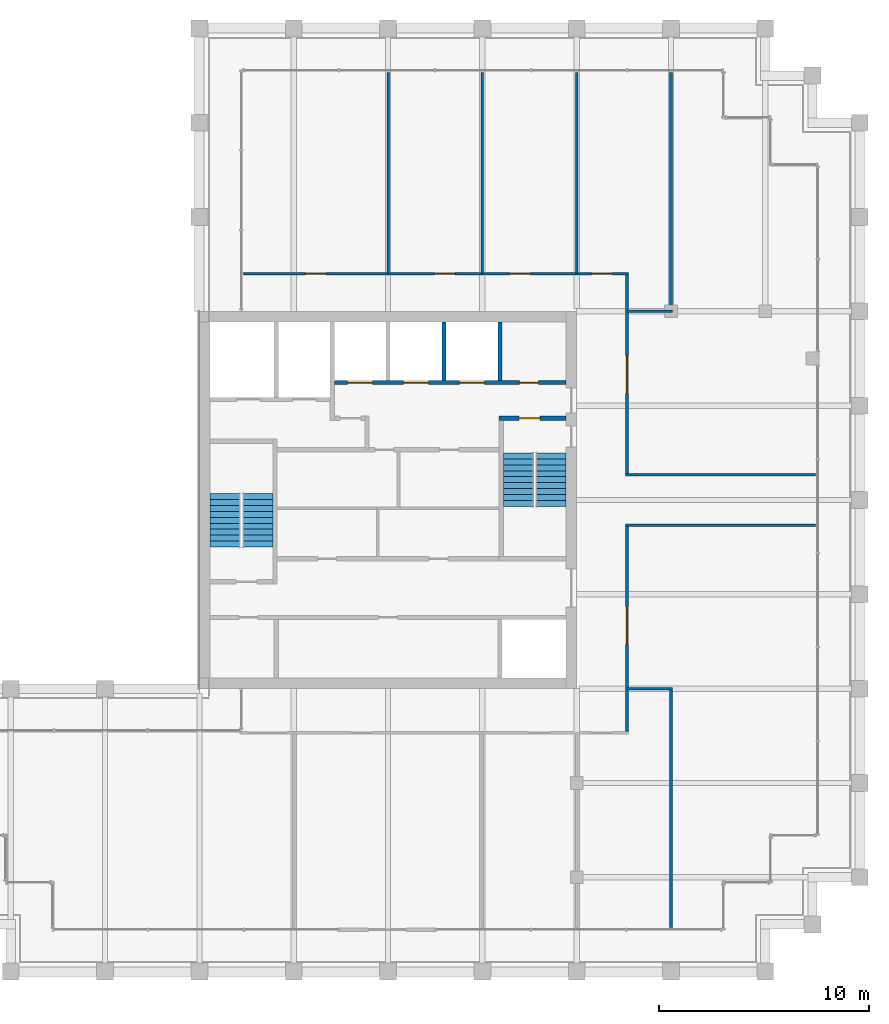
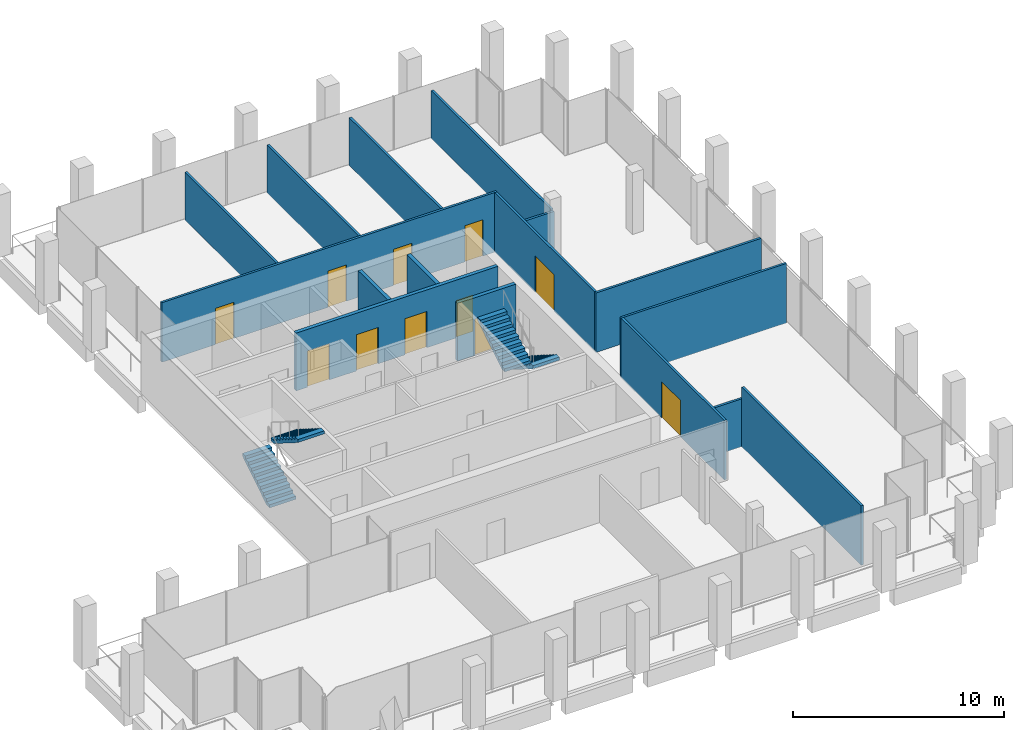
# One storey, part 29 of 30: 16 walls, 11 doors, 4 stair flights, 11 openings, 2 elements without a shape of their own.
"""IFC4 building model written with IfcOpenShell, lengths in metres."""

from ifc_helpers import new_model, si_unit, direction, frame, frame_2d, origin, place, context, subcontext, project, spatial, polyline, rectangle, outline, extrude, material, layer, layer_set, type_object, element, fill, aggregate, save


model = new_model("IFC4")

# Units and contexts
model_context = context("Model", 3, precision=1e-05, world=origin(), true_north=direction((0.0, 1.0)))
body_context = subcontext(model_context, "Body", "Model", "MODEL_VIEW")
ifc_project = project(units=[si_unit("LENGTHUNIT", "METRE"), si_unit("AREAUNIT", "SQUARE_METRE"), si_unit("VOLUMEUNIT", "CUBIC_METRE"), si_unit("PLANEANGLEUNIT", "RADIAN"), si_unit("MASSUNIT", "GRAM", prefix="KILO")], contexts=[model_context])

# Site, building, storey
site_placement = place(None, origin())
site = spatial("IfcSite", under=ifc_project, at=site_placement, CompositionType="ELEMENT")
building_placement = place(site_placement, origin())
building = spatial("IfcBuilding", under=site, at=building_placement, Name="Altepetl Exchange Towers", CompositionType="ELEMENT")
storey_placement = place(building_placement, frame((0.0, 0.0, 220.800048828125)))
storey = spatial("IfcBuildingStorey", under=building, at=storey_placement, Name="L56", CompositionType="ELEMENT", Elevation=220.800048828125)

# Walls
ifc_material_1 = material(Name="Timber panels on aluminium track", Category="wood")
ifc_layer_1 = layer(ifc_material_1, 0.125)
ifc_layer_set_1 = layer_set([ifc_layer_1], Name="Timber panels on aluminium track")
wall_type_1 = type_object("IfcWallType", Name="Operable acoustic partition 125", PredefinedType="MOVABLE", material=ifc_layer_set_1)
wall_1_placement = place(storey_placement, frame((58.5, 60.300048828125, 0.0), z_axis=(0.0, 0.0, 1.0), x_axis=(0.0, 1.0, 0.0)))
element("IfcWall", 1, at=wall_1_placement, inside=storey, type_object=wall_type_1, Name="wall:A:L56:P14", PredefinedType="MOVABLE", context=body_context, shape_type="SweptSolid", body=[
    extrude(rectangle(XDim=9.599853515625, YDim=0.125, at=frame_2d((4.7998046875, 0.0))), origin(), (0.0, 0.0, 1.0), 2.77197265625),
])
ifc_material_2 = material(Name="Gypsum board on steel studs", Category="steel")
ifc_layer_2 = layer(ifc_material_2, 0.125)
ifc_layer_set_2 = layer_set([ifc_layer_2], Name="Gypsum board on steel studs")
wall_type_2 = type_object("IfcWallType", Name="Partition 125 gypsum board on steel studs", PredefinedType="PARTITIONING", material=ifc_layer_set_2)
wall_2_placement = place(storey_placement, frame((60.89990234375, 40.5, 0.0)))
element("IfcWall", 2, at=wall_2_placement, inside=storey, type_object=wall_type_2, Name="wall:A:L56:P02", PredefinedType="PARTITIONING", context=body_context, shape_type="SweptSolid", body=[
    extrude(rectangle(XDim=2.16259765625, YDim=0.125, at=frame_2d((1.081298828125, 0.0))), origin(), (0.0, 0.0, 1.0), 2.77197265625),
])
for number, where, name in (
    (3, (60.83740234375, 48.300048828125, 0.0), "wall:A:L56:P03"),
    (4, (60.83740234375, 50.699951171875, 0.0), "wall:A:L56:P04"),
):
    element("IfcWall", number, at=place(storey_placement, frame(where)), inside=storey, type_object=wall_type_2, Name=name, PredefinedType="PARTITIONING", context=body_context, shape_type="SweptSolid", body=[
        extrude(rectangle(XDim=9.0625, YDim=0.125, at=frame_2d((4.53125, 0.0))), origin(), (0.0, 0.0, 1.0), 3.449951171875),
    ])
wall_3_placement = place(storey_placement, frame((60.89990234375, 58.5, 0.0)))
element("IfcWall", 5, at=wall_3_placement, inside=storey, type_object=wall_type_2, Name="wall:A:L56:P05", PredefinedType="PARTITIONING", context=body_context, shape_type="SweptSolid", body=[
    extrude(rectangle(XDim=2.16259765625, YDim=0.125, at=frame_2d((1.081298828125, 0.0))), origin(), (0.0, 0.0, 1.0), 2.676025390625),
])

# Wall, openings, doors
wall_4_placement = place(storey_placement, frame((42.60009765625, 60.300048828125, 0.0)))
wall_4 = element("IfcWall", 6, at=wall_4_placement, inside=storey, type_object=wall_type_2, Name="wall:A:L56:P06", PredefinedType="PARTITIONING", context=body_context, shape_type="SweptSolid", body=[
    extrude(rectangle(XDim=18.3623046875, YDim=0.125, at=frame_2d((9.18115234375, 0.0))), origin(), (0.0, 0.0, 1.0), 3.449951171875),
])
opening_1_placement = place(wall_4_placement, frame((16.60009765625, 0.0, 0.0)))
opening_1 = element("IfcOpeningElement", 7, at=opening_1_placement, cuts=wall_4, Name="Opening L56.A07", PredefinedType="OPENING", context=body_context, shape_type="SweptSolid", body=[
    extrude(rectangle(XDim=1.0, YDim=2.10009765625, at=frame_2d((0.5, 1.050048828125))), frame((0.0, 0.072509765625, 0.0), z_axis=(0.0, -1.0, 0.0), x_axis=(1.0, 0.0, 0.0)), (0.0, 0.0, 1.0), 0.14501953125),
])
opening_2_placement = place(wall_4_placement, frame((12.695068359375, 0.0, 0.0)))
opening_2 = element("IfcOpeningElement", 8, at=opening_2_placement, cuts=wall_4, Name="Opening L56.A08", PredefinedType="OPENING", context=body_context, shape_type="SweptSolid", body=[
    extrude(rectangle(XDim=1.0, YDim=2.10009765625, at=frame_2d((0.5, 1.050048828125))), frame((0.0, 0.072509765625, 0.0), z_axis=(0.0, -1.0, 0.0), x_axis=(1.0, 0.0, 0.0)), (0.0, 0.0, 1.0), 0.14501953125),
])
opening_3_placement = place(wall_4_placement, frame((9.10498046875, 0.0, 0.0)))
opening_3 = element("IfcOpeningElement", 9, at=opening_3_placement, cuts=wall_4, Name="Opening L56.A09", PredefinedType="OPENING", context=body_context, shape_type="SweptSolid", body=[
    extrude(rectangle(XDim=1.0, YDim=2.10009765625, at=frame_2d((0.5, 1.050048828125))), frame((0.0, 0.072509765625, 0.0), z_axis=(0.0, -1.0, 0.0), x_axis=(1.0, 0.0, 0.0)), (0.0, 0.0, 1.0), 0.14501953125),
])
opening_4_placement = place(wall_4_placement, frame((2.949951171875, 0.0, 0.0)))
opening_4 = element("IfcOpeningElement", 10, at=opening_4_placement, cuts=wall_4, Name="Opening L56.A10", PredefinedType="OPENING", context=body_context, shape_type="SweptSolid", body=[
    extrude(rectangle(XDim=1.0, YDim=2.10009765625, at=frame_2d((0.5, 1.050048828125))), frame((0.0, 0.072509765625, 0.0), z_axis=(0.0, -1.0, 0.0), x_axis=(1.0, 0.0, 0.0)), (0.0, 0.0, 1.0), 0.14501953125),
])
ifc_material_3 = material(Name="Steel and timber fire door", Category="steel")
door_type_1 = type_object("IfcDoorType", Name="Fire door 1000 x 2100 single leaf", OperationType="SINGLE_SWING_LEFT", PredefinedType="DOOR", material=ifc_material_3)
door_1_placement = place(opening_1_placement, origin())
door_1 = element("IfcDoor", 11, at=door_1_placement, inside=storey, type_object=door_type_1, Name="door:A:L56:07", OperationType="SINGLE_SWING_RIGHT", OverallHeight=2.10009765625, OverallWidth=1.0, PredefinedType="DOOR", context=body_context, shape_type="SweptSolid", body=[
    extrude(rectangle(XDim=1.0, YDim=2.10009765625, at=frame_2d((0.5, 1.050048828125))), frame((0.0, 0.02490234375, 0.0), z_axis=(0.0, -1.0, 0.0), x_axis=(1.0, 0.0, 0.0)), (0.0, 0.0, 1.0), 0.050048828125),
])
fill(opening_1, door_1)
door_2_placement = place(opening_2_placement, origin())
door_2 = element("IfcDoor", 12, at=door_2_placement, inside=storey, type_object=door_type_1, Name="door:A:L56:08", OperationType="SINGLE_SWING_LEFT", OverallHeight=2.10009765625, OverallWidth=1.0, PredefinedType="DOOR", context=body_context, shape_type="SweptSolid", body=[
    extrude(rectangle(XDim=1.0, YDim=2.10009765625, at=frame_2d((0.5, 1.050048828125))), frame((0.0, 0.02490234375, 0.0), z_axis=(0.0, -1.0, 0.0), x_axis=(1.0, 0.0, 0.0)), (0.0, 0.0, 1.0), 0.050048828125),
])
fill(opening_2, door_2)
door_3_placement = place(opening_3_placement, origin())
door_3 = element("IfcDoor", 13, at=door_3_placement, inside=storey, type_object=door_type_1, Name="door:A:L56:09", OperationType="SINGLE_SWING_RIGHT", OverallHeight=2.10009765625, OverallWidth=1.0, PredefinedType="DOOR", context=body_context, shape_type="SweptSolid", body=[
    extrude(rectangle(XDim=1.0, YDim=2.10009765625, at=frame_2d((0.5, 1.050048828125))), frame((0.0, 0.02490234375, 0.0), z_axis=(0.0, -1.0, 0.0), x_axis=(1.0, 0.0, 0.0)), (0.0, 0.0, 1.0), 0.050048828125),
])
fill(opening_3, door_3)
door_4_placement = place(opening_4_placement, origin())
door_4 = element("IfcDoor", 14, at=door_4_placement, inside=storey, type_object=door_type_1, Name="door:A:L56:10", OperationType="SINGLE_SWING_RIGHT", OverallHeight=2.10009765625, OverallWidth=1.0, PredefinedType="DOOR", context=body_context, shape_type="SweptSolid", body=[
    extrude(rectangle(XDim=1.0, YDim=2.10009765625, at=frame_2d((0.5, 1.050048828125))), frame((0.0, 0.02490234375, 0.0), z_axis=(0.0, -1.0, 0.0), x_axis=(1.0, 0.0, 0.0)), (0.0, 0.0, 1.0), 0.050048828125),
])
fill(opening_4, door_4)

# Walls
for number, where, z_axis, x_axis, name in (
    (15, (49.5, 60.300048828125, 0.0), (0.0, 0.0, 1.0), (0.0, 1.0, 0.0), "wall:A:L56:P08"),
    (16, (54.0, 60.300048828125, 0.0), (0.0, 0.0, 1.0), (0.0, 1.0, 0.0), "wall:A:L56:P10"),
):
    element("IfcWall", number, at=place(storey_placement, frame(where, z_axis=z_axis, x_axis=x_axis)), inside=storey, type_object=wall_type_2, Name=name, PredefinedType="PARTITIONING", context=body_context, shape_type="SweptSolid", body=[
        extrude(rectangle(XDim=9.599853515625, YDim=0.125, at=frame_2d((4.7998046875, 0.0))), origin(), (0.0, 0.0, 1.0), 2.77197265625),
    ])

# Wall, opening, door
wall_5_placement = place(storey_placement, frame((60.89990234375, 38.46240234375, 0.0), z_axis=(0.0, 0.0, 1.0), x_axis=(0.0, 1.0, 0.0)))
wall_5 = element("IfcWall", 17, at=wall_5_placement, inside=storey, type_object=wall_type_2, Name="wall:A:L56:P15", PredefinedType="PARTITIONING", context=body_context, shape_type="SweptSolid", body=[
    extrude(rectangle(XDim=9.775146484375, YDim=0.125, at=frame_2d((4.8876953125, 0.0))), origin(), (0.0, 0.0, 1.0), 3.449951171875),
])
opening_5_placement = place(wall_5_placement, frame((4.1455078125, 0.0, 0.0)))
opening_5 = element("IfcOpeningElement", 18, at=opening_5_placement, cuts=wall_5, Name="Opening L56.A05", PredefinedType="OPENING", context=body_context, shape_type="SweptSolid", body=[
    extrude(rectangle(XDim=1.800048828125, YDim=2.10009765625, at=frame_2d((0.89990234375, 1.050048828125))), frame((0.0, 0.072509765625, 0.0), z_axis=(0.0, -1.0, 0.0), x_axis=(1.0, 0.0, 0.0)), (0.0, 0.0, 1.0), 0.14501953125),
])
door_type_2 = type_object("IfcDoorType", Name="Fire door 1800 x 2100 double leaf", OperationType="DOUBLE_DOOR_SINGLE_SWING", PredefinedType="DOOR", material=ifc_material_3)
door_5_placement = place(opening_5_placement, frame((1.800048828125, 0.0, 0.0), x_axis=(-1.0, 0.0, 0.0)))
door_5 = element("IfcDoor", 19, at=door_5_placement, inside=storey, type_object=door_type_2, Name="door:A:L56:05", OperationType="DOUBLE_DOOR_SINGLE_SWING", OverallHeight=2.10009765625, OverallWidth=1.800048828125, PredefinedType="DOOR", context=body_context, shape_type="SweptSolid", body=[
    extrude(rectangle(XDim=1.800048828125, YDim=2.10009765625, at=frame_2d((0.89990234375, 1.050048828125))), frame((0.0, 0.02490234375, 0.0), z_axis=(0.0, -1.0, 0.0), x_axis=(1.0, 0.0, 0.0)), (0.0, 0.0, 1.0), 0.050048828125),
])
fill(opening_5, door_5)

wall_6_placement = place(storey_placement, frame((60.89990234375, 50.762451171875, 0.0), z_axis=(0.0, 0.0, 1.0), x_axis=(0.0, 1.0, 0.0)))
wall_6 = element("IfcWall", 20, at=wall_6_placement, inside=storey, type_object=wall_type_2, Name="wall:A:L56:P16", PredefinedType="PARTITIONING", context=body_context, shape_type="SweptSolid", body=[
    extrude(rectangle(XDim=9.47509765625, YDim=0.125, at=frame_2d((4.737548828125, 0.0))), origin(), (0.0, 0.0, 1.0), 3.449951171875),
])
opening_6_placement = place(wall_6_placement, frame((3.82958984375, 0.0, 0.0)))
opening_6 = element("IfcOpeningElement", 21, at=opening_6_placement, cuts=wall_6, Name="Opening L56.A06", PredefinedType="OPENING", context=body_context, shape_type="SweptSolid", body=[
    extrude(rectangle(XDim=1.800048828125, YDim=2.10009765625, at=frame_2d((0.89990234375, 1.050048828125))), frame((0.0, 0.072509765625, 0.0), z_axis=(0.0, -1.0, 0.0), x_axis=(1.0, 0.0, 0.0)), (0.0, 0.0, 1.0), 0.14501953125),
])
door_6_placement = place(opening_6_placement, frame((1.800048828125, 0.0, 0.0), x_axis=(-1.0, 0.0, 0.0)))
door_6 = element("IfcDoor", 22, at=door_6_placement, inside=storey, type_object=door_type_2, Name="door:A:L56:06", OperationType="DOUBLE_DOOR_SINGLE_SWING", OverallHeight=2.10009765625, OverallWidth=1.800048828125, PredefinedType="DOOR", context=body_context, shape_type="SweptSolid", body=[
    extrude(rectangle(XDim=1.800048828125, YDim=2.10009765625, at=frame_2d((0.89990234375, 1.050048828125))), frame((0.0, 0.02490234375, 0.0), z_axis=(0.0, -1.0, 0.0), x_axis=(1.0, 0.0, 0.0)), (0.0, 0.0, 1.0), 0.050048828125),
])
fill(opening_6, door_6)

# Walls
wall_7_placement = place(storey_placement, frame((63.0, 29.10009765625, 0.0), z_axis=(0.0, 0.0, 1.0), x_axis=(0.0, 1.0, 0.0)))
element("IfcWall", 23, at=wall_7_placement, inside=storey, type_object=wall_type_2, Name="wall:A:L56:P17", PredefinedType="PARTITIONING", context=body_context, shape_type="SweptSolid", body=[
    extrude(rectangle(XDim=11.33740234375, YDim=0.125, at=frame_2d((5.668701171875, 0.0))), origin(), (0.0, 0.0, 1.0), 3.449951171875),
])
wall_8_placement = place(storey_placement, frame((63.0, 58.5625, 0.0), z_axis=(0.0, 0.0, 1.0), x_axis=(0.0, 1.0, 0.0)))
element("IfcWall", 24, at=wall_8_placement, inside=storey, type_object=wall_type_2, Name="wall:A:L56:P18", PredefinedType="PARTITIONING", context=body_context, shape_type="SweptSolid", body=[
    extrude(rectangle(XDim=11.33740234375, YDim=0.125, at=frame_2d((5.668701171875, 0.0))), origin(), (0.0, 0.0, 1.0), 2.77197265625),
])
ifc_material_4 = material(Name="Concrete C40/50", Category="concrete")
ifc_layer_3 = layer(ifc_material_4, 0.199951171875)
ifc_layer_set_3 = layer_set([ifc_layer_3], Name="Concrete C40/50")
wall_type_3 = type_object("IfcWallType", Name="Shaft wall 200 reinforced concrete", PredefinedType="SHEAR", material=ifc_layer_set_3)
for number, where, z_axis, x_axis, name in (
    (25, (52.166748046875, 58.0, 0.0), (0.0, 0.0, 1.0), (0.0, -1.0, 0.0), "wall:A:L56:K-divN4"),
    (26, (54.833251953125, 58.0, 0.0), (0.0, 0.0, 1.0), (0.0, -1.0, 0.0), "wall:A:L56:K-divN5"),
):
    element("IfcWall", number, at=place(storey_placement, frame(where, z_axis=z_axis, x_axis=x_axis)), inside=storey, type_object=wall_type_3, Name=name, PredefinedType="SHEAR", context=body_context, shape_type="SweptSolid", body=[
        extrude(rectangle(XDim=2.800048828125, YDim=0.199951171875, at=frame_2d((1.39990234375, 0.0))), origin(), (0.0, 0.0, 1.0), 3.349853515625),
    ])

# Wall, openings, doors
wall_9_placement = place(storey_placement, frame((46.933349609375, 55.10009765625, 0.0)))
wall_9 = element("IfcWall", 27, at=wall_9_placement, inside=storey, type_object=wall_type_3, Name="wall:A:L56:K-frontNb", PredefinedType="SHEAR", context=body_context, shape_type="SweptSolid", body=[
    extrude(rectangle(XDim=11.066650390625, YDim=0.199951171875, at=frame_2d((5.533203125, 0.0))), origin(), (0.0, 0.0, 1.0), 3.349853515625),
])
opening_7_placement = place(wall_9_placement, frame((8.83349609375, 0.0, 0.0)))
opening_7 = element("IfcOpeningElement", 28, at=opening_7_placement, cuts=wall_9, Name="Opening L56.A66", PredefinedType="OPENING", context=body_context, shape_type="SweptSolid", body=[
    extrude(rectangle(XDim=0.89990234375, YDim=2.10009765625, at=frame_2d((0.449951171875, 1.050048828125))), frame((0.0, 0.10986328125, 0.0), z_axis=(0.0, -1.0, 0.0), x_axis=(1.0, 0.0, 0.0)), (0.0, 0.0, 1.0), 0.219970703125),
])
opening_8_placement = place(wall_9_placement, frame((0.63330078125, 0.0, 0.0)))
opening_8 = element("IfcOpeningElement", 29, at=opening_8_placement, cuts=wall_9, Name="Opening L56.A75", PredefinedType="OPENING", context=body_context, shape_type="SweptSolid", body=[
    extrude(rectangle(XDim=1.199951171875, YDim=2.10009765625, at=frame_2d((0.60009765625, 1.050048828125))), frame((0.0, 0.10986328125, 0.0), z_axis=(0.0, -1.0, 0.0), x_axis=(1.0, 0.0, 0.0)), (0.0, 0.0, 1.0), 0.219970703125),
])
opening_9_placement = place(wall_9_placement, frame((3.300048828125, 0.0, 0.0)))
opening_9 = element("IfcOpeningElement", 30, at=opening_9_placement, cuts=wall_9, Name="Opening L56.A76", PredefinedType="OPENING", context=body_context, shape_type="SweptSolid", body=[
    extrude(rectangle(XDim=1.199951171875, YDim=2.10009765625, at=frame_2d((0.60009765625, 1.050048828125))), frame((0.0, 0.10986328125, 0.0), z_axis=(0.0, -1.0, 0.0), x_axis=(1.0, 0.0, 0.0)), (0.0, 0.0, 1.0), 0.219970703125),
])
opening_10_placement = place(wall_9_placement, frame((5.966796875, 0.0, 0.0)))
opening_10 = element("IfcOpeningElement", 31, at=opening_10_placement, cuts=wall_9, Name="Opening L56.A77", PredefinedType="OPENING", context=body_context, shape_type="SweptSolid", body=[
    extrude(rectangle(XDim=1.199951171875, YDim=2.10009765625, at=frame_2d((0.60009765625, 1.050048828125))), frame((0.0, 0.10986328125, 0.0), z_axis=(0.0, -1.0, 0.0), x_axis=(1.0, 0.0, 0.0)), (0.0, 0.0, 1.0), 0.219970703125),
])
door_type_3 = type_object("IfcDoorType", Name="Fire door 900 x 2100 service room", OperationType="SINGLE_SWING_LEFT", PredefinedType="DOOR", material=ifc_material_3)
door_7_placement = place(opening_7_placement, origin())
door_7 = element("IfcDoor", 32, at=door_7_placement, inside=storey, type_object=door_type_3, Name="door:A:L56:K-driser", OperationType="SINGLE_SWING_RIGHT", OverallHeight=2.10009765625, OverallWidth=0.89990234375, PredefinedType="DOOR", context=body_context, shape_type="SweptSolid", body=[
    extrude(rectangle(XDim=0.89990234375, YDim=2.10009765625, at=frame_2d((0.449951171875, 1.050048828125))), frame((0.0, 0.02490234375, 0.0), z_axis=(0.0, -1.0, 0.0), x_axis=(1.0, 0.0, 0.0)), (0.0, 0.0, 1.0), 0.050048828125),
])
fill(opening_7, door_7)
ifc_material_5 = material(Name="Stainless steel", Category="steel")
door_type_4 = type_object("IfcDoorType", Name="Lift landing door 1200 x 2100", OperationType="SLIDING_TO_LEFT", PredefinedType="DOOR", material=ifc_material_5)
door_8_placement = place(opening_8_placement, origin())
door_8 = element("IfcDoor", 33, at=door_8_placement, inside=storey, type_object=door_type_4, Name="Landing door P5", OperationType="SLIDING_TO_LEFT", OverallHeight=2.10009765625, OverallWidth=1.199951171875, PredefinedType="DOOR", context=body_context, shape_type="SweptSolid", body=[
    extrude(rectangle(XDim=1.199951171875, YDim=2.10009765625, at=frame_2d((0.60009765625, 1.050048828125))), frame((0.0, 0.02490234375, 0.0), z_axis=(0.0, -1.0, 0.0), x_axis=(1.0, 0.0, 0.0)), (0.0, 0.0, 1.0), 0.050048828125),
])
fill(opening_8, door_8)
door_9_placement = place(opening_9_placement, origin())
door_9 = element("IfcDoor", 34, at=door_9_placement, inside=storey, type_object=door_type_4, Name="Landing door P6", OperationType="SLIDING_TO_LEFT", OverallHeight=2.10009765625, OverallWidth=1.199951171875, PredefinedType="DOOR", context=body_context, shape_type="SweptSolid", body=[
    extrude(rectangle(XDim=1.199951171875, YDim=2.10009765625, at=frame_2d((0.60009765625, 1.050048828125))), frame((0.0, 0.02490234375, 0.0), z_axis=(0.0, -1.0, 0.0), x_axis=(1.0, 0.0, 0.0)), (0.0, 0.0, 1.0), 0.050048828125),
])
fill(opening_9, door_9)
door_10_placement = place(opening_10_placement, origin())
door_10 = element("IfcDoor", 35, at=door_10_placement, inside=storey, type_object=door_type_4, Name="Landing door P7", OperationType="SLIDING_TO_LEFT", OverallHeight=2.10009765625, OverallWidth=1.199951171875, PredefinedType="DOOR", context=body_context, shape_type="SweptSolid", body=[
    extrude(rectangle(XDim=1.199951171875, YDim=2.10009765625, at=frame_2d((0.60009765625, 1.050048828125))), frame((0.0, 0.02490234375, 0.0), z_axis=(0.0, -1.0, 0.0), x_axis=(1.0, 0.0, 0.0)), (0.0, 0.0, 1.0), 0.050048828125),
])
fill(opening_10, door_10)

# Wall, opening, door
ifc_layer_4 = layer(ifc_material_4, 0.199951171875)
ifc_layer_set_4 = layer_set([ifc_layer_4], Name="Concrete C40/50")
wall_type_4 = type_object("IfcWallType", Name="Stair wall 200 reinforced concrete", PredefinedType="SHEAR", material=ifc_layer_set_4)
wall_10_placement = place(storey_placement, frame((54.800048828125, 53.39990234375, 0.0)))
wall_10 = element("IfcWall", 36, at=wall_10_placement, inside=storey, type_object=wall_type_4, Name="wall:A:L56:K-stS2N", PredefinedType="SHEAR", context=body_context, shape_type="SweptSolid", body=[
    extrude(rectangle(XDim=3.199951171875, YDim=0.199951171875, at=frame_2d((1.60009765625, 0.0))), origin(), (0.0, 0.0, 1.0), 3.349853515625),
])
opening_11_placement = place(wall_10_placement, frame((0.949951171875, 0.0, 0.0)))
opening_11 = element("IfcOpeningElement", 37, at=opening_11_placement, cuts=wall_10, Name="Opening L56.A63", PredefinedType="OPENING", context=body_context, shape_type="SweptSolid", body=[
    extrude(rectangle(XDim=1.0, YDim=2.10009765625, at=frame_2d((0.5, 1.050048828125))), frame((0.0, 0.10986328125, 0.0), z_axis=(0.0, -1.0, 0.0), x_axis=(1.0, 0.0, 0.0)), (0.0, 0.0, 1.0), 0.219970703125),
])
door_type_5 = type_object("IfcDoorType", Name="Fire door 1000 x 2100 stair and lobby", OperationType="SINGLE_SWING_LEFT", PredefinedType="DOOR", material=ifc_material_3)
door_11_placement = place(opening_11_placement, frame((1.0, 0.0, 0.0), x_axis=(-1.0, 0.0, 0.0)))
door_11 = element("IfcDoor", 38, at=door_11_placement, inside=storey, type_object=door_type_5, Name="door:A:L56:K-dS2in", OperationType="SINGLE_SWING_LEFT", OverallHeight=2.10009765625, OverallWidth=1.0, PredefinedType="DOOR", context=body_context, shape_type="SweptSolid", body=[
    extrude(rectangle(XDim=1.0, YDim=2.10009765625, at=frame_2d((0.5, 1.050048828125))), frame((0.0, 0.02490234375, 0.0), z_axis=(0.0, -1.0, 0.0), x_axis=(1.0, 0.0, 0.0)), (0.0, 0.0, 1.0), 0.050048828125),
])
fill(opening_11, door_11)

# Stair, stair flights
stair_type = type_object("IfcStairType", Name="Exit stair 1450 flights dogleg", PredefinedType="HALF_TURN_STAIR", material=ifc_material_4)
stair_1_placement = place(storey_placement, origin())
stair_1 = element("IfcStair", 39, at=stair_1_placement, inside=storey, type_object=stair_type, Name="Exit stair 1", PredefinedType="HALF_TURN_STAIR")
stair_flight_type = type_object("IfcStairFlightType", Name="Stair flight 1450 wide", PredefinedType="STRAIGHT", material=ifc_material_4)
stair_flight_1_placement = place(storey_placement, frame((41.72509765625, 47.25, 0.0), z_axis=(0.0, 0.0, 1.0), x_axis=(0.0, 1.0, 0.0)))
stair_flight_1 = element("IfcStairFlight", 40, at=stair_flight_1_placement, type_object=stair_flight_type, Name="ST-A1f flight 1", NumberOfRisers=10, NumberOfTreads=9, PredefinedType="STRAIGHT", RiserHeight=0.18, TreadLength=0.285, context=body_context, shape_type="SweptSolid", body=[
    extrude(outline(polyline([(0.0, 0.0), (0.0, 0.179931640625), (0.284912109375, 0.179931640625), (0.284912109375, 0.360107421875), (0.570068359375, 0.360107421875), (0.570068359375, 0.5400390625), (0.85498046875, 0.5400390625), (0.85498046875, 0.719970703125), (1.139892578125, 0.719970703125), (1.139892578125, 0.89990234375), (1.425048828125, 0.89990234375), (1.425048828125, 1.080078125), (1.7099609375, 1.080078125), (1.7099609375, 1.260009765625), (1.9951171875, 1.260009765625), (1.9951171875, 1.43994140625), (2.280029296875, 1.43994140625), (2.280029296875, 1.6201171875), (2.56494140625, 1.6201171875), (2.56494140625, 1.800048828125), (2.56494140625, 1.442626953125), (0.28076171875, 0.0), (0.0, 0.0)])), frame((0.0, 0.72509765625, 0.0), z_axis=(0.0, -1.0, 0.0), x_axis=(1.0, 0.0, 0.0)), (0.0, 0.0, 1.0), 1.449951171875),
])
stair_flight_2_placement = place(storey_placement, frame((43.27490234375, 49.81494140625, 1.800048828125), z_axis=(0.0, 0.0, 1.0), x_axis=(0.0, -1.0, 0.0)))
stair_flight_2 = element("IfcStairFlight", 41, at=stair_flight_2_placement, type_object=stair_flight_type, Name="ST-A1f flight 2", NumberOfRisers=10, NumberOfTreads=9, PredefinedType="STRAIGHT", RiserHeight=0.18, TreadLength=0.285, context=body_context, shape_type="SweptSolid", body=[
    extrude(outline(polyline([(0.0, 0.0), (0.0, 0.179931640625), (0.284912109375, 0.179931640625), (0.284912109375, 0.360107421875), (0.570068359375, 0.360107421875), (0.570068359375, 0.5400390625), (0.85498046875, 0.5400390625), (0.85498046875, 0.719970703125), (1.139892578125, 0.719970703125), (1.139892578125, 0.89990234375), (1.425048828125, 0.89990234375), (1.425048828125, 1.080078125), (1.7099609375, 1.080078125), (1.7099609375, 1.260009765625), (1.9951171875, 1.260009765625), (1.9951171875, 1.43994140625), (2.280029296875, 1.43994140625), (2.280029296875, 1.6201171875), (2.56494140625, 1.6201171875), (2.56494140625, 1.800048828125), (2.56494140625, 1.442626953125), (0.28076171875, 0.0), (0.0, 0.0)])), frame((0.0, 0.72509765625, 0.0), z_axis=(0.0, -1.0, 0.0), x_axis=(1.0, 0.0, 0.0)), (0.0, 0.0, 1.0), 1.449951171875),
])
aggregate(stair_1, [stair_flight_1, stair_flight_2])

stair_2_placement = place(storey_placement, origin())
stair_2 = element("IfcStair", 42, at=stair_2_placement, inside=storey, type_object=stair_type, Name="Exit stair 2", PredefinedType="HALF_TURN_STAIR")
stair_flight_3_placement = place(storey_placement, frame((57.27490234375, 51.75, 0.0), z_axis=(0.0, 0.0, 1.0), x_axis=(0.0, -1.0, 0.0)))
stair_flight_3 = element("IfcStairFlight", 43, at=stair_flight_3_placement, type_object=stair_flight_type, Name="ST-A2f flight 1", NumberOfRisers=10, NumberOfTreads=9, PredefinedType="STRAIGHT", RiserHeight=0.18, TreadLength=0.285, context=body_context, shape_type="SweptSolid", body=[
    extrude(outline(polyline([(0.0, 0.0), (0.0, 0.179931640625), (0.284912109375, 0.179931640625), (0.284912109375, 0.360107421875), (0.570068359375, 0.360107421875), (0.570068359375, 0.5400390625), (0.85498046875, 0.5400390625), (0.85498046875, 0.719970703125), (1.139892578125, 0.719970703125), (1.139892578125, 0.89990234375), (1.425048828125, 0.89990234375), (1.425048828125, 1.080078125), (1.7099609375, 1.080078125), (1.7099609375, 1.260009765625), (1.9951171875, 1.260009765625), (1.9951171875, 1.43994140625), (2.280029296875, 1.43994140625), (2.280029296875, 1.6201171875), (2.56494140625, 1.6201171875), (2.56494140625, 1.800048828125), (2.56494140625, 1.442626953125), (0.28076171875, 0.0), (0.0, 0.0)])), frame((0.0, 0.72509765625, 0.0), z_axis=(0.0, -1.0, 0.0), x_axis=(1.0, 0.0, 0.0)), (0.0, 0.0, 1.0), 1.449951171875),
])
stair_flight_4_placement = place(storey_placement, frame((55.72509765625, 49.18505859375, 1.800048828125), z_axis=(0.0, 0.0, 1.0), x_axis=(0.0, 1.0, 0.0)))
stair_flight_4 = element("IfcStairFlight", 44, at=stair_flight_4_placement, type_object=stair_flight_type, Name="ST-A2f flight 2", NumberOfRisers=10, NumberOfTreads=9, PredefinedType="STRAIGHT", RiserHeight=0.18, TreadLength=0.285, context=body_context, shape_type="SweptSolid", body=[
    extrude(outline(polyline([(0.0, 0.0), (0.0, 0.179931640625), (0.284912109375, 0.179931640625), (0.284912109375, 0.360107421875), (0.570068359375, 0.360107421875), (0.570068359375, 0.5400390625), (0.85498046875, 0.5400390625), (0.85498046875, 0.719970703125), (1.139892578125, 0.719970703125), (1.139892578125, 0.89990234375), (1.425048828125, 0.89990234375), (1.425048828125, 1.080078125), (1.7099609375, 1.080078125), (1.7099609375, 1.260009765625), (1.9951171875, 1.260009765625), (1.9951171875, 1.43994140625), (2.280029296875, 1.43994140625), (2.280029296875, 1.6201171875), (2.56494140625, 1.6201171875), (2.56494140625, 1.800048828125), (2.56494140625, 1.442626953125), (0.28076171875, 0.0), (0.0, 0.0)])), frame((0.0, 0.72509765625, 0.0), z_axis=(0.0, -1.0, 0.0), x_axis=(1.0, 0.0, 0.0)), (0.0, 0.0, 1.0), 1.449951171875),
])
aggregate(stair_2, [stair_flight_3, stair_flight_4])

save(model, "model.ifc")
